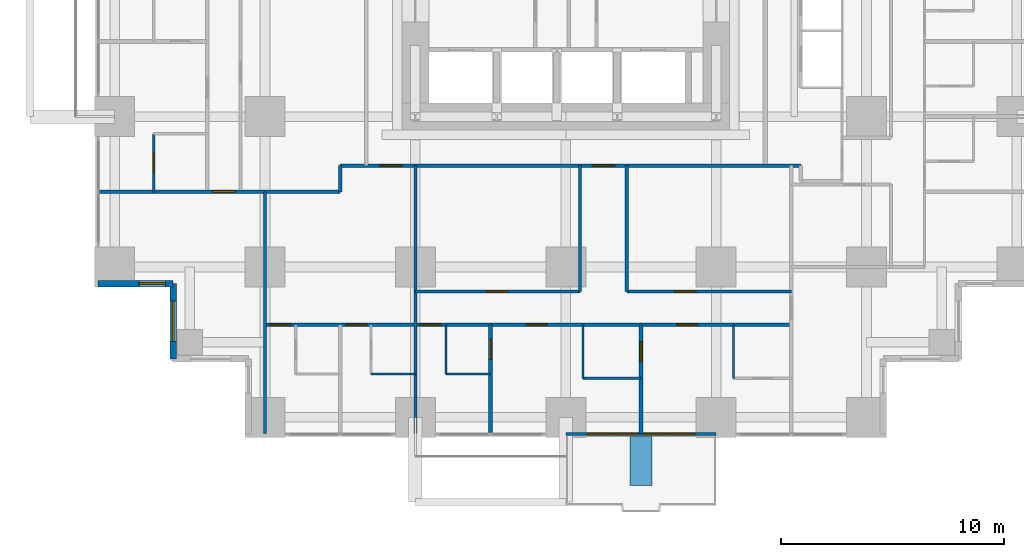
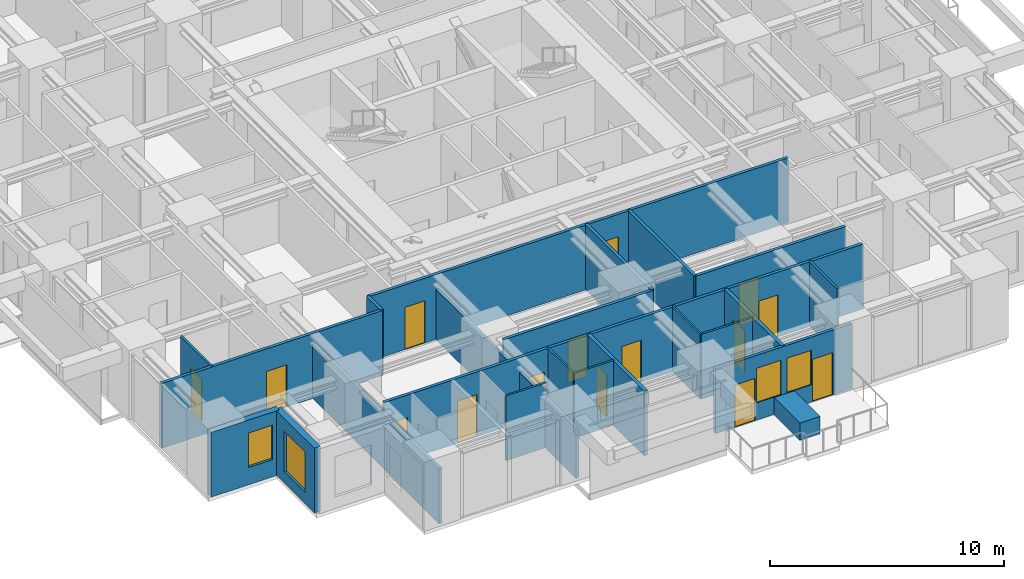
# One storey, part 8 of 14: 23 walls, 15 doors, 4 windows, 19 openings.
"""IFC4 building model written with IfcOpenShell, lengths in metres."""

from ifc_helpers import new_model, si_unit, direction, frame, frame_2d, origin, place, context, subcontext, project, spatial, rectangle, extrude, material, layer, layer_set, type_object, element, fill, save


model = new_model("IFC4")

# Units and contexts
model_context = context("Model", 3, precision=1e-05, world=origin(), true_north=direction((0.0, 1.0)))
body_context = subcontext(model_context, "Body", "Model", "MODEL_VIEW")
ifc_project = project(units=[si_unit("LENGTHUNIT", "METRE"), si_unit("AREAUNIT", "SQUARE_METRE"), si_unit("VOLUMEUNIT", "CUBIC_METRE"), si_unit("PLANEANGLEUNIT", "RADIAN"), si_unit("MASSUNIT", "GRAM", prefix="KILO")], contexts=[model_context])

# Site, building, storey
site_placement = place(None, origin())
site = spatial("IfcSite", under=ifc_project, at=site_placement, CompositionType="ELEMENT")
building_placement = place(site_placement, origin())
building = spatial("IfcBuilding", under=site, at=building_placement, Name="Nyansa Garden Tower", CompositionType="ELEMENT")
storey_placement = place(building_placement, frame((0.0, 0.0, 50.39990234375)))
storey = spatial("IfcBuildingStorey", under=building, at=storey_placement, Name="L13", CompositionType="ELEMENT", Elevation=50.39990234375)

# Wall, opening, door
ifc_material_1 = material(Name="Dense blockwork, plastered both sides, 55 dB", Category="masonry")
ifc_layer_1 = layer(ifc_material_1, 0.175048828125)
ifc_layer_set_1 = layer_set([ifc_layer_1], Name="Acoustic party wall PW175")
wall_type_1 = type_object("IfcWallType", Name="Acoustic party wall PW175", PredefinedType="PARTITIONING", material=ifc_layer_set_1)
wall_1_placement = place(storey_placement, frame((16.875, -0.73388671875, 0.0), z_axis=(0.0, 0.0, 1.0), x_axis=(0.0, 1.0, 0.0)))
wall_1 = element("IfcWall", 1, at=wall_1_placement, inside=storey, type_object=wall_type_1, Name="Party wall", PredefinedType="PARTITIONING", context=body_context, shape_type="SweptSolid", body=[
    extrude(rectangle(XDim=4.8837890625, YDim=0.175048828125, at=frame_2d((2.44189453125, 0.0))), origin(), (0.0, 0.0, 1.0), 3.375),
])
opening_1_placement = place(wall_1_placement, frame((3.333984375, 0.0, 0.0)))
opening_1 = element("IfcOpeningElement", 2, at=opening_1_placement, cuts=wall_1, Name="Opening D02", PredefinedType="OPENING", context=body_context, shape_type="SweptSolid", body=[
    extrude(rectangle(XDim=0.89990234375, YDim=2.199951171875, at=frame_2d((0.449951171875, 1.10009765625))), frame((0.0, 0.097412109375, 0.0), z_axis=(0.0, -1.0, 0.0), x_axis=(1.0, 0.0, 0.0)), (0.0, 0.0, 1.0), 0.195068359375),
])
ifc_material_2 = material(Name="Timber flush door", Category="wood")
door_type_1 = type_object("IfcDoorType", Name="En-suite door D02 900x2200", OperationType="SINGLE_SWING_RIGHT", PredefinedType="DOOR", material=ifc_material_2)
door_1_placement = place(opening_1_placement, origin())
door_1 = element("IfcDoor", 3, at=door_1_placement, inside=storey, type_object=door_type_1, Name="Door L13-029", OperationType="SINGLE_SWING_RIGHT", OverallHeight=2.199951171875, OverallWidth=0.89990234375, PredefinedType="DOOR", context=body_context, shape_type="SweptSolid", body=[
    extrude(rectangle(XDim=0.89990234375, YDim=2.199951171875, at=frame_2d((0.449951171875, 1.10009765625))), frame((0.0, 0.02490234375, 0.0), z_axis=(0.0, -1.0, 0.0), x_axis=(1.0, 0.0, 0.0)), (0.0, 0.0, 1.0), 0.050048828125),
])
fill(opening_1, door_1)

wall_2_placement = place(storey_placement, frame((23.625, -0.73388671875, 0.0), z_axis=(0.0, 0.0, 1.0), x_axis=(0.0, 1.0, 0.0)))
wall_2 = element("IfcWall", 4, at=wall_2_placement, inside=storey, type_object=wall_type_1, Name="Party wall", PredefinedType="PARTITIONING", context=body_context, shape_type="SweptSolid", body=[
    extrude(rectangle(XDim=4.8837890625, YDim=0.175048828125, at=frame_2d((2.44189453125, 0.0))), origin(), (0.0, 0.0, 1.0), 3.375),
])
opening_2_placement = place(wall_2_placement, frame((3.23388671875, 0.0, 0.0)))
opening_2 = element("IfcOpeningElement", 5, at=opening_2_placement, cuts=wall_2, Name="Opening D02", PredefinedType="OPENING", context=body_context, shape_type="SweptSolid", body=[
    extrude(rectangle(XDim=0.89990234375, YDim=2.199951171875, at=frame_2d((0.449951171875, 1.10009765625))), frame((0.0, 0.097412109375, 0.0), z_axis=(0.0, -1.0, 0.0), x_axis=(1.0, 0.0, 0.0)), (0.0, 0.0, 1.0), 0.195068359375),
])
door_2_placement = place(opening_2_placement, origin())
door_2 = element("IfcDoor", 6, at=door_2_placement, inside=storey, type_object=door_type_1, Name="Door L13-027", OperationType="SINGLE_SWING_RIGHT", OverallHeight=2.199951171875, OverallWidth=0.89990234375, PredefinedType="DOOR", context=body_context, shape_type="SweptSolid", body=[
    extrude(rectangle(XDim=0.89990234375, YDim=2.199951171875, at=frame_2d((0.449951171875, 1.10009765625))), frame((0.0, 0.02490234375, 0.0), z_axis=(0.0, -1.0, 0.0), x_axis=(1.0, 0.0, 0.0)), (0.0, 0.0, 1.0), 0.050048828125),
])
fill(opening_2, door_2)

# Wall, openings, doors, windows
ifc_material_3 = material(Name="Black aluminium framed glazed screen", Category="aluminium")
ifc_layer_2 = layer(ifc_material_3, 0.14990234375)
ifc_layer_set_2 = layer_set([ifc_layer_2], Name="Balcony screen wall BW150")
wall_type_2 = type_object("IfcWallType", Name="Balcony screen wall BW150", PredefinedType="SOLIDWALL", material=ifc_layer_set_2)
wall_3_placement = place(storey_placement, frame((27.0, -0.75, 0.0), z_axis=(0.0, 0.0, 1.0), x_axis=(-1.0, 0.0, 0.0)))
wall_3 = element("IfcWall", 7, at=wall_3_placement, inside=storey, type_object=wall_type_2, Name="Glazed screen wall L13 S", PredefinedType="SOLIDWALL", context=body_context, shape_type="SweptSolid", body=[
    extrude(rectangle(XDim=6.75, YDim=0.14990234375, at=frame_2d((3.375, 0.0))), origin(), (0.0, 0.0, 1.0), 3.375),
])
opening_3_placement = place(wall_3_placement, frame((0.96240234375, 0.0, 0.0)))
opening_3 = element("IfcOpeningElement", 8, at=opening_3_placement, cuts=wall_3, Name="Opening D20", PredefinedType="OPENING", context=body_context, shape_type="SweptSolid", body=[
    extrude(rectangle(XDim=1.0, YDim=2.199951171875, at=frame_2d((0.5, 1.10009765625))), frame((0.0, 0.0849609375, 0.0), z_axis=(0.0, -1.0, 0.0), x_axis=(1.0, 0.0, 0.0)), (0.0, 0.0, 1.0), 0.169921875),
])
opening_4_placement = place(wall_3_placement, frame((2.02490234375, 0.0, 0.89990234375)))
opening_4 = element("IfcOpeningElement", 9, at=opening_4_placement, cuts=wall_3, Name="Opening W6", PredefinedType="OPENING", context=body_context, shape_type="SweptSolid", body=[
    extrude(rectangle(XDim=1.199951171875, YDim=1.800048828125, at=frame_2d((0.60009765625, 0.89990234375))), frame((0.0, 0.0849609375, 0.0), z_axis=(0.0, -1.0, 0.0), x_axis=(1.0, 0.0, 0.0)), (0.0, 0.0, 1.0), 0.169921875),
])
opening_5_placement = place(wall_3_placement, frame((4.78759765625, 0.0, 0.0)))
opening_5 = element("IfcOpeningElement", 10, at=opening_5_placement, cuts=wall_3, Name="Opening D20", PredefinedType="OPENING", context=body_context, shape_type="SweptSolid", body=[
    extrude(rectangle(XDim=1.0, YDim=2.199951171875, at=frame_2d((0.5, 1.10009765625))), frame((0.0, 0.0849609375, 0.0), z_axis=(0.0, -1.0, 0.0), x_axis=(1.0, 0.0, 0.0)), (0.0, 0.0, 1.0), 0.169921875),
])
opening_6_placement = place(wall_3_placement, frame((3.52490234375, 0.0, 0.89990234375)))
opening_6 = element("IfcOpeningElement", 11, at=opening_6_placement, cuts=wall_3, Name="Opening W6", PredefinedType="OPENING", context=body_context, shape_type="SweptSolid", body=[
    extrude(rectangle(XDim=1.199951171875, YDim=1.800048828125, at=frame_2d((0.60009765625, 0.89990234375))), frame((0.0, 0.0849609375, 0.0), z_axis=(0.0, -1.0, 0.0), x_axis=(1.0, 0.0, 0.0)), (0.0, 0.0, 1.0), 0.169921875),
])
ifc_material_4 = material(Name="Black aluminium framed glazed door", Category="aluminium")
door_type_2 = type_object("IfcDoorType", Name="Balcony door D20 1000x2200", OperationType="NOTDEFINED", PredefinedType="DOOR", material=ifc_material_4)
door_3_placement = place(opening_3_placement, origin())
door_3 = element("IfcDoor", 12, at=door_3_placement, inside=storey, type_object=door_type_2, Name="Balcony door L13", OperationType="SINGLE_SWING_LEFT", OverallHeight=2.199951171875, OverallWidth=1.0, PredefinedType="DOOR", context=body_context, shape_type="SweptSolid", body=[
    extrude(rectangle(XDim=1.0, YDim=2.199951171875, at=frame_2d((0.5, 1.10009765625))), frame((0.0, 0.02490234375, 0.0), z_axis=(0.0, -1.0, 0.0), x_axis=(1.0, 0.0, 0.0)), (0.0, 0.0, 1.0), 0.050048828125),
])
fill(opening_3, door_3)
door_4_placement = place(opening_5_placement, origin())
door_4 = element("IfcDoor", 13, at=door_4_placement, inside=storey, type_object=door_type_2, Name="Balcony door L13", OperationType="SINGLE_SWING_RIGHT", OverallHeight=2.199951171875, OverallWidth=1.0, PredefinedType="DOOR", context=body_context, shape_type="SweptSolid", body=[
    extrude(rectangle(XDim=1.0, YDim=2.199951171875, at=frame_2d((0.5, 1.10009765625))), frame((0.0, 0.02490234375, 0.0), z_axis=(0.0, -1.0, 0.0), x_axis=(1.0, 0.0, 0.0)), (0.0, 0.0, 1.0), 0.050048828125),
])
fill(opening_5, door_4)
ifc_material_5 = material(Name="Black aluminium frame, dark tinted double glazing", Category="aluminium")
window_type_1 = type_object("IfcWindowType", Name="Balcony window W6 1200x1800", PartitioningType="SINGLE_PANEL", PredefinedType="WINDOW", material=ifc_material_5)
window_1_placement = place(opening_4_placement, origin())
window_1 = element("IfcWindow", 14, at=window_1_placement, inside=storey, type_object=window_type_1, Name="Window L13", OverallHeight=1.800048828125, OverallWidth=1.199951171875, PartitioningType="SINGLE_PANEL", PredefinedType="WINDOW", context=body_context, shape_type="SweptSolid", body=[
    extrude(rectangle(XDim=1.199951171875, YDim=1.800048828125, at=frame_2d((0.60009765625, 0.89990234375))), frame((0.0, 0.030029296875, 0.0), z_axis=(0.0, -1.0, 0.0), x_axis=(1.0, 0.0, 0.0)), (0.0, 0.0, 1.0), 0.06005859375),
])
fill(opening_4, window_1)
window_2_placement = place(opening_6_placement, origin())
window_2 = element("IfcWindow", 15, at=window_2_placement, inside=storey, type_object=window_type_1, Name="Window L13", OverallHeight=1.800048828125, OverallWidth=1.199951171875, PartitioningType="SINGLE_PANEL", PredefinedType="WINDOW", context=body_context, shape_type="SweptSolid", body=[
    extrude(rectangle(XDim=1.199951171875, YDim=1.800048828125, at=frame_2d((0.60009765625, 0.89990234375))), frame((0.0, 0.030029296875, 0.0), z_axis=(0.0, -1.0, 0.0), x_axis=(1.0, 0.0, 0.0)), (0.0, 0.0, 1.0), 0.06005859375),
])
fill(opening_6, window_2)

# Wall, opening, door
ifc_material_6 = material(Name="Blockwork, plastered both sides", Category="masonry")
ifc_layer_3 = layer(ifc_material_6, 0.14990234375)
ifc_layer_set_3 = layer_set([ifc_layer_3], Name="Partition PW150")
wall_type_3 = type_object("IfcWallType", Name="Partition PW150", PredefinedType="PARTITIONING", material=ifc_layer_set_3)
wall_4_placement = place(storey_placement, frame((-0.73388671875, 10.125, 0.0), z_axis=(0.0, 0.0, 1.0), x_axis=(1.0, 0.0, 0.0)))
wall_4 = element("IfcWall", 16, at=wall_4_placement, inside=storey, type_object=wall_type_3, Name="Partition", PredefinedType="PARTITIONING", context=body_context, shape_type="SweptSolid", body=[
    extrude(rectangle(XDim=10.85888671875, YDim=0.14990234375, at=frame_2d((5.429443359375, 0.0))), origin(), (0.0, 0.0, 1.0), 3.375),
])
opening_7_placement = place(wall_4_placement, frame((5.134033203125, 0.0, 0.0)))
opening_7 = element("IfcOpeningElement", 17, at=opening_7_placement, cuts=wall_4, Name="Opening D03", PredefinedType="OPENING", context=body_context, shape_type="SweptSolid", body=[
    extrude(rectangle(XDim=1.0, YDim=2.199951171875, at=frame_2d((0.5, 1.10009765625))), frame((0.0, 0.0849609375, 0.0), z_axis=(0.0, -1.0, 0.0), x_axis=(1.0, 0.0, 0.0)), (0.0, 0.0, 1.0), 0.169921875),
])
ifc_material_7 = material(Name="Timber flush door, 60 minute fire resisting", Category="wood")
door_type_3 = type_object("IfcDoorType", Name="Cluster entrance door D03 1000x2200", OperationType="SINGLE_SWING_LEFT", PredefinedType="DOOR", material=ifc_material_7)
door_5_placement = place(opening_7_placement, origin())
door_5 = element("IfcDoor", 18, at=door_5_placement, inside=storey, type_object=door_type_3, Name="Door L13-018", OperationType="SINGLE_SWING_LEFT", OverallHeight=2.199951171875, OverallWidth=1.0, PredefinedType="DOOR", context=body_context, shape_type="SweptSolid", body=[
    extrude(rectangle(XDim=1.0, YDim=2.199951171875, at=frame_2d((0.5, 1.10009765625))), frame((0.0, 0.02490234375, 0.0), z_axis=(0.0, -1.0, 0.0), x_axis=(1.0, 0.0, 0.0)), (0.0, 0.0, 1.0), 0.050048828125),
])
fill(opening_7, door_5)

# Wall
wall_5_placement = place(storey_placement, frame((6.75, -0.73388671875, 0.0), z_axis=(0.0, 0.0, 1.0), x_axis=(0.0, 1.0, 0.0)))
element("IfcWall", 19, at=wall_5_placement, inside=storey, type_object=wall_type_3, Name="Partition", PredefinedType="PARTITIONING", context=body_context, shape_type="SweptSolid", body=[
    extrude(rectangle(XDim=10.85888671875, YDim=0.14990234375, at=frame_2d((5.429443359375, 0.0))), origin(), (0.0, 0.0, 1.0), 2.877197265625),
])

# Wall, openings, doors
wall_6_placement = place(storey_placement, frame((6.75, 4.14990234375, 0.0), z_axis=(0.0, 0.0, 1.0), x_axis=(1.0, 0.0, 0.0)))
wall_6 = element("IfcWall", 20, at=wall_6_placement, inside=storey, type_object=wall_type_3, Name="Partition", PredefinedType="PARTITIONING", context=body_context, shape_type="SweptSolid", body=[
    extrude(rectangle(XDim=23.625, YDim=0.14990234375, at=frame_2d((11.8125, 0.0))), origin(), (0.0, 0.0, 1.0), 3.375),
])
opening_8_placement = place(wall_6_placement, frame((0.199951171875, 0.0, 0.0)))
opening_8 = element("IfcOpeningElement", 21, at=opening_8_placement, cuts=wall_6, Name="Opening D01", PredefinedType="OPENING", context=body_context, shape_type="SweptSolid", body=[
    extrude(rectangle(XDim=0.949951171875, YDim=2.199951171875, at=frame_2d((0.47509765625, 1.10009765625))), frame((0.0, 0.0849609375, 0.0), z_axis=(0.0, -1.0, 0.0), x_axis=(1.0, 0.0, 0.0)), (0.0, 0.0, 1.0), 0.169921875),
])
opening_9_placement = place(wall_6_placement, frame((3.625, 0.0, 0.0)))
opening_9 = element("IfcOpeningElement", 22, at=opening_9_placement, cuts=wall_6, Name="Opening D01", PredefinedType="OPENING", context=body_context, shape_type="SweptSolid", body=[
    extrude(rectangle(XDim=0.949951171875, YDim=2.199951171875, at=frame_2d((0.47509765625, 1.10009765625))), frame((0.0, 0.0849609375, 0.0), z_axis=(0.0, -1.0, 0.0), x_axis=(1.0, 0.0, 0.0)), (0.0, 0.0, 1.0), 0.169921875),
])
opening_10_placement = place(wall_6_placement, frame((18.47509765625, 0.0, 0.0)))
opening_10 = element("IfcOpeningElement", 23, at=opening_10_placement, cuts=wall_6, Name="Opening D14", PredefinedType="OPENING", context=body_context, shape_type="SweptSolid", body=[
    extrude(rectangle(XDim=0.949951171875, YDim=2.199951171875, at=frame_2d((0.47509765625, 1.10009765625))), frame((0.0, 0.0849609375, 0.0), z_axis=(0.0, -1.0, 0.0), x_axis=(1.0, 0.0, 0.0)), (0.0, 0.0, 1.0), 0.169921875),
])
opening_11_placement = place(wall_6_placement, frame((11.72509765625, 0.0, 0.0)))
opening_11 = element("IfcOpeningElement", 24, at=opening_11_placement, cuts=wall_6, Name="Opening D14", PredefinedType="OPENING", context=body_context, shape_type="SweptSolid", body=[
    extrude(rectangle(XDim=0.949951171875, YDim=2.199951171875, at=frame_2d((0.47509765625, 1.10009765625))), frame((0.0, 0.0849609375, 0.0), z_axis=(0.0, -1.0, 0.0), x_axis=(1.0, 0.0, 0.0)), (0.0, 0.0, 1.0), 0.169921875),
])
opening_12_placement = place(wall_6_placement, frame((6.949951171875, 0.0, 0.0)))
opening_12 = element("IfcOpeningElement", 25, at=opening_12_placement, cuts=wall_6, Name="Opening D14", PredefinedType="OPENING", context=body_context, shape_type="SweptSolid", body=[
    extrude(rectangle(XDim=0.949951171875, YDim=2.199951171875, at=frame_2d((0.47509765625, 1.10009765625))), frame((0.0, 0.0849609375, 0.0), z_axis=(0.0, -1.0, 0.0), x_axis=(1.0, 0.0, 0.0)), (0.0, 0.0, 1.0), 0.169921875),
])
ifc_material_8 = material(Name="Timber flush door, 30 minute fire resisting", Category="wood")
door_type_4 = type_object("IfcDoorType", Name="Bedroom door D01 950x2200", OperationType="SINGLE_SWING_LEFT", PredefinedType="DOOR", material=ifc_material_8)
door_6_placement = place(opening_8_placement, origin())
door_6 = element("IfcDoor", 26, at=door_6_placement, inside=storey, type_object=door_type_4, Name="Door L13-019", OperationType="SINGLE_SWING_LEFT", OverallHeight=2.199951171875, OverallWidth=0.949951171875, PredefinedType="DOOR", context=body_context, shape_type="SweptSolid", body=[
    extrude(rectangle(XDim=0.949951171875, YDim=2.199951171875, at=frame_2d((0.47509765625, 1.10009765625))), frame((0.0, 0.02490234375, 0.0), z_axis=(0.0, -1.0, 0.0), x_axis=(1.0, 0.0, 0.0)), (0.0, 0.0, 1.0), 0.050048828125),
])
fill(opening_8, door_6)
door_7_placement = place(opening_9_placement, origin())
door_7 = element("IfcDoor", 27, at=door_7_placement, inside=storey, type_object=door_type_4, Name="Door L13-021", OperationType="SINGLE_SWING_LEFT", OverallHeight=2.199951171875, OverallWidth=0.949951171875, PredefinedType="DOOR", context=body_context, shape_type="SweptSolid", body=[
    extrude(rectangle(XDim=0.949951171875, YDim=2.199951171875, at=frame_2d((0.47509765625, 1.10009765625))), frame((0.0, 0.02490234375, 0.0), z_axis=(0.0, -1.0, 0.0), x_axis=(1.0, 0.0, 0.0)), (0.0, 0.0, 1.0), 0.050048828125),
])
fill(opening_9, door_7)
ifc_material_9 = material(Name="Timber flush door, 60 minute fire resisting, self-closing", Category="wood")
door_type_5 = type_object("IfcDoorType", Name="Studio entrance door D14 950x2200", OperationType="SINGLE_SWING_LEFT", PredefinedType="DOOR", material=ifc_material_9)
door_8_placement = place(opening_10_placement, origin())
door_8 = element("IfcDoor", 28, at=door_8_placement, inside=storey, type_object=door_type_5, Name="Door L13-024", OperationType="SINGLE_SWING_LEFT", OverallHeight=2.199951171875, OverallWidth=0.949951171875, PredefinedType="DOOR", context=body_context, shape_type="SweptSolid", body=[
    extrude(rectangle(XDim=0.949951171875, YDim=2.199951171875, at=frame_2d((0.47509765625, 1.10009765625))), frame((0.0, 0.02490234375, 0.0), z_axis=(0.0, -1.0, 0.0), x_axis=(1.0, 0.0, 0.0)), (0.0, 0.0, 1.0), 0.050048828125),
])
fill(opening_10, door_8)
door_9_placement = place(opening_11_placement, origin())
door_9 = element("IfcDoor", 29, at=door_9_placement, inside=storey, type_object=door_type_5, Name="Door L13-026", OperationType="SINGLE_SWING_LEFT", OverallHeight=2.199951171875, OverallWidth=0.949951171875, PredefinedType="DOOR", context=body_context, shape_type="SweptSolid", body=[
    extrude(rectangle(XDim=0.949951171875, YDim=2.199951171875, at=frame_2d((0.47509765625, 1.10009765625))), frame((0.0, 0.02490234375, 0.0), z_axis=(0.0, -1.0, 0.0), x_axis=(1.0, 0.0, 0.0)), (0.0, 0.0, 1.0), 0.050048828125),
])
fill(opening_11, door_9)
door_10_placement = place(opening_12_placement, origin())
door_10 = element("IfcDoor", 30, at=door_10_placement, inside=storey, type_object=door_type_5, Name="Door L13-028", OperationType="SINGLE_SWING_LEFT", OverallHeight=2.199951171875, OverallWidth=0.949951171875, PredefinedType="DOOR", context=body_context, shape_type="SweptSolid", body=[
    extrude(rectangle(XDim=0.949951171875, YDim=2.199951171875, at=frame_2d((0.47509765625, 1.10009765625))), frame((0.0, 0.02490234375, 0.0), z_axis=(0.0, -1.0, 0.0), x_axis=(1.0, 0.0, 0.0)), (0.0, 0.0, 1.0), 0.050048828125),
])
fill(opening_12, door_10)

# Wall
wall_7_placement = place(storey_placement, frame((10.125, 10.125, 0.0), z_axis=(0.0, 0.0, 1.0), x_axis=(0.0, 1.0, 0.0)))
element("IfcWall", 31, at=wall_7_placement, inside=storey, type_object=wall_type_3, Name="Partition", PredefinedType="PARTITIONING", context=body_context, shape_type="SweptSolid", body=[
    extrude(rectangle(XDim=1.175048828125, YDim=0.14990234375, at=frame_2d((0.58740234375, 0.0))), origin(), (0.0, 0.0, 1.0), 3.375),
])

# Wall, openings, doors
wall_8_placement = place(storey_placement, frame((10.125, 11.300048828125, 0.0), z_axis=(0.0, 0.0, 1.0), x_axis=(1.0, 0.0, 0.0)))
wall_8 = element("IfcWall", 32, at=wall_8_placement, inside=storey, type_object=wall_type_3, Name="Partition", PredefinedType="PARTITIONING", context=body_context, shape_type="SweptSolid", body=[
    extrude(rectangle(XDim=20.675048828125, YDim=0.14990234375, at=frame_2d((10.33740234375, 0.0))), origin(), (0.0, 0.0, 1.0), 3.375),
])
opening_13_placement = place(wall_8_placement, frame((1.77490234375, 0.0, 0.0)))
opening_13 = element("IfcOpeningElement", 33, at=opening_13_placement, cuts=wall_8, Name="Opening D03", PredefinedType="OPENING", context=body_context, shape_type="SweptSolid", body=[
    extrude(rectangle(XDim=1.0, YDim=2.199951171875, at=frame_2d((0.5, 1.10009765625))), frame((0.0, 0.0849609375, 0.0), z_axis=(0.0, -1.0, 0.0), x_axis=(1.0, 0.0, 0.0)), (0.0, 0.0, 1.0), 0.169921875),
])
opening_14_placement = place(wall_8_placement, frame((11.3125, 0.0, 0.0)))
opening_14 = element("IfcOpeningElement", 34, at=opening_14_placement, cuts=wall_8, Name="Opening D03", PredefinedType="OPENING", context=body_context, shape_type="SweptSolid", body=[
    extrude(rectangle(XDim=1.0, YDim=2.199951171875, at=frame_2d((0.5, 1.10009765625))), frame((0.0, 0.0849609375, 0.0), z_axis=(0.0, -1.0, 0.0), x_axis=(1.0, 0.0, 0.0)), (0.0, 0.0, 1.0), 0.169921875),
])
door_11_placement = place(opening_13_placement, origin())
door_11 = element("IfcDoor", 35, at=door_11_placement, inside=storey, type_object=door_type_3, Name="Door L13-023", OperationType="SINGLE_SWING_LEFT", OverallHeight=2.199951171875, OverallWidth=1.0, PredefinedType="DOOR", context=body_context, shape_type="SweptSolid", body=[
    extrude(rectangle(XDim=1.0, YDim=2.199951171875, at=frame_2d((0.5, 1.10009765625))), frame((0.0, 0.02490234375, 0.0), z_axis=(0.0, -1.0, 0.0), x_axis=(1.0, 0.0, 0.0)), (0.0, 0.0, 1.0), 0.050048828125),
])
fill(opening_13, door_11)
door_12_placement = place(opening_14_placement, origin())
door_12 = element("IfcDoor", 36, at=door_12_placement, inside=storey, type_object=door_type_3, Name="Door L13-030", OperationType="SINGLE_SWING_LEFT", OverallHeight=2.199951171875, OverallWidth=1.0, PredefinedType="DOOR", context=body_context, shape_type="SweptSolid", body=[
    extrude(rectangle(XDim=1.0, YDim=2.199951171875, at=frame_2d((0.5, 1.10009765625))), frame((0.0, 0.02490234375, 0.0), z_axis=(0.0, -1.0, 0.0), x_axis=(1.0, 0.0, 0.0)), (0.0, 0.0, 1.0), 0.050048828125),
])
fill(opening_14, door_12)

# Wall
wall_9_placement = place(storey_placement, frame((13.5, -0.73388671875, 0.0), z_axis=(0.0, 0.0, 1.0), x_axis=(0.0, 1.0, 0.0)))
element("IfcWall", 37, at=wall_9_placement, inside=storey, type_object=wall_type_3, Name="Partition", PredefinedType="PARTITIONING", context=body_context, shape_type="SweptSolid", body=[
    extrude(rectangle(XDim=12.033935546875, YDim=0.14990234375, at=frame_2d((6.01708984375, 0.0))), origin(), (0.0, 0.0, 1.0), 2.610107421875),
])

# Wall, opening, door
wall_10_placement = place(storey_placement, frame((13.5, 5.64990234375, 0.0), z_axis=(0.0, 0.0, 1.0), x_axis=(1.0, 0.0, 0.0)))
wall_10 = element("IfcWall", 38, at=wall_10_placement, inside=storey, type_object=wall_type_3, Name="Partition", PredefinedType="PARTITIONING", context=body_context, shape_type="SweptSolid", body=[
    extrude(rectangle(XDim=7.387451171875, YDim=0.14990234375, at=frame_2d((3.69384765625, 0.0))), origin(), (0.0, 0.0, 1.0), 3.375),
])
opening_15_placement = place(wall_10_placement, frame((3.199951171875, 0.0, 0.0)))
opening_15 = element("IfcOpeningElement", 39, at=opening_15_placement, cuts=wall_10, Name="Opening D01", PredefinedType="OPENING", context=body_context, shape_type="SweptSolid", body=[
    extrude(rectangle(XDim=0.949951171875, YDim=2.199951171875, at=frame_2d((0.47509765625, 1.10009765625))), frame((0.0, 0.0849609375, 0.0), z_axis=(0.0, -1.0, 0.0), x_axis=(1.0, 0.0, 0.0)), (0.0, 0.0, 1.0), 0.169921875),
])
door_13_placement = place(opening_15_placement, origin())
door_13 = element("IfcDoor", 40, at=door_13_placement, inside=storey, type_object=door_type_4, Name="Door L13-032", OperationType="SINGLE_SWING_LEFT", OverallHeight=2.199951171875, OverallWidth=0.949951171875, PredefinedType="DOOR", context=body_context, shape_type="SweptSolid", body=[
    extrude(rectangle(XDim=0.949951171875, YDim=2.199951171875, at=frame_2d((0.47509765625, 1.10009765625))), frame((0.0, 0.02490234375, 0.0), z_axis=(0.0, -1.0, 0.0), x_axis=(1.0, 0.0, 0.0)), (0.0, 0.0, 1.0), 0.050048828125),
])
fill(opening_15, door_13)

# Wall
wall_11_placement = place(storey_placement, frame((20.886962890625, 5.64990234375, 0.0), z_axis=(0.0, 0.0, 1.0), x_axis=(0.0, 1.0, 0.0)))
element("IfcWall", 41, at=wall_11_placement, inside=storey, type_object=wall_type_3, Name="Partition", PredefinedType="PARTITIONING", context=body_context, shape_type="SweptSolid", body=[
    extrude(rectangle(XDim=5.650146484375, YDim=0.14990234375, at=frame_2d((2.8251953125, 0.0))), origin(), (0.0, 0.0, 1.0), 3.375),
])

# Wall, opening, door
wall_12_placement = place(storey_placement, frame((22.987548828125, 5.64990234375, 0.0), z_axis=(0.0, 0.0, 1.0), x_axis=(1.0, 0.0, 0.0)))
wall_12 = element("IfcWall", 42, at=wall_12_placement, inside=storey, type_object=wall_type_3, Name="Partition", PredefinedType="PARTITIONING", context=body_context, shape_type="SweptSolid", body=[
    extrude(rectangle(XDim=7.387451171875, YDim=0.14990234375, at=frame_2d((3.69384765625, 0.0))), origin(), (0.0, 0.0, 1.0), 3.375),
])
opening_16_placement = place(wall_12_placement, frame((2.14990234375, 0.0, 0.0)))
opening_16 = element("IfcOpeningElement", 43, at=opening_16_placement, cuts=wall_12, Name="Opening D01", PredefinedType="OPENING", context=body_context, shape_type="SweptSolid", body=[
    extrude(rectangle(XDim=0.949951171875, YDim=2.199951171875, at=frame_2d((0.47509765625, 1.10009765625))), frame((0.0, 0.0849609375, 0.0), z_axis=(0.0, -1.0, 0.0), x_axis=(1.0, 0.0, 0.0)), (0.0, 0.0, 1.0), 0.169921875),
])
door_14_placement = place(opening_16_placement, origin())
door_14 = element("IfcDoor", 44, at=door_14_placement, inside=storey, type_object=door_type_4, Name="Door L13-031", OperationType="SINGLE_SWING_LEFT", OverallHeight=2.199951171875, OverallWidth=0.949951171875, PredefinedType="DOOR", context=body_context, shape_type="SweptSolid", body=[
    extrude(rectangle(XDim=0.949951171875, YDim=2.199951171875, at=frame_2d((0.47509765625, 1.10009765625))), frame((0.0, 0.02490234375, 0.0), z_axis=(0.0, -1.0, 0.0), x_axis=(1.0, 0.0, 0.0)), (0.0, 0.0, 1.0), 0.050048828125),
])
fill(opening_16, door_14)

# Wall
wall_13_placement = place(storey_placement, frame((22.988037109375, 5.64990234375, 0.0), z_axis=(0.0, 0.0, 1.0), x_axis=(0.0, 1.0, 0.0)))
element("IfcWall", 45, at=wall_13_placement, inside=storey, type_object=wall_type_3, Name="Partition", PredefinedType="PARTITIONING", context=body_context, shape_type="SweptSolid", body=[
    extrude(rectangle(XDim=5.650146484375, YDim=0.14990234375, at=frame_2d((2.8251953125, 0.0))), origin(), (0.0, 0.0, 1.0), 3.375),
])

# Wall, opening, window
ifc_material_10 = material(Name="Turquoise glazed tile on concrete blockwork", Category="masonry")
ifc_layer_4 = layer(ifc_material_10, 0.300048828125)
ifc_layer_set_4 = layer_set([ifc_layer_4], Name="Tiled corner wall TW300")
wall_type_4 = type_object("IfcWallType", Name="Tiled corner wall TW300", PredefinedType="SOLIDWALL", material=ifc_layer_set_4)
wall_14_placement = place(storey_placement, frame((-0.75, 6.0, 0.0), z_axis=(0.0, 0.0, 1.0), x_axis=(1.0, 0.0, 0.0)))
wall_14 = element("IfcWall", 46, at=wall_14_placement, inside=storey, type_object=wall_type_4, Name="Tiled corner wall L13", PredefinedType="SOLIDWALL", context=body_context, shape_type="SweptSolid", body=[
    extrude(rectangle(XDim=3.375, YDim=0.300048828125, at=frame_2d((1.6875, 0.0))), origin(), (0.0, 0.0, 1.0), 3.375),
])
opening_17_placement = place(wall_14_placement, frame((1.83251953125, 0.0, 0.89990234375)))
opening_17 = element("IfcOpeningElement", 47, at=opening_17_placement, cuts=wall_14, Name="Opening W4", PredefinedType="OPENING", context=body_context, shape_type="SweptSolid", body=[
    extrude(rectangle(XDim=1.199951171875, YDim=1.800048828125, at=frame_2d((0.60009765625, 0.89990234375))), frame((0.0, 0.159912109375, 0.0), z_axis=(0.0, -1.0, 0.0), x_axis=(1.0, 0.0, 0.0)), (0.0, 0.0, 1.0), 0.320068359375),
])
ifc_material_11 = material(Name="Black aluminium frame, dark tinted double glazing", Category="aluminium")
window_type_2 = type_object("IfcWindowType", Name="Window W4 1200x1800", PartitioningType="SINGLE_PANEL", PredefinedType="WINDOW", material=ifc_material_11)
window_3_placement = place(opening_17_placement, origin())
window_3 = element("IfcWindow", 48, at=window_3_placement, inside=storey, type_object=window_type_2, Name="Corner window L13", OverallHeight=1.800048828125, OverallWidth=1.199951171875, PartitioningType="SINGLE_PANEL", PredefinedType="WINDOW", context=body_context, shape_type="SweptSolid", body=[
    extrude(rectangle(XDim=1.199951171875, YDim=1.800048828125, at=frame_2d((0.60009765625, 0.89990234375))), frame((0.0, 0.030029296875, 0.0), z_axis=(0.0, -1.0, 0.0), x_axis=(1.0, 0.0, 0.0)), (0.0, 0.0, 1.0), 0.06005859375),
])
fill(opening_17, window_3)

wall_15_placement = place(storey_placement, frame((2.625, 6.0, 0.0), z_axis=(0.0, 0.0, 1.0), x_axis=(0.0, -1.0, 0.0)))
wall_15 = element("IfcWall", 49, at=wall_15_placement, inside=storey, type_object=wall_type_4, Name="Tiled corner wall L13", PredefinedType="SOLIDWALL", context=body_context, shape_type="SweptSolid", body=[
    extrude(rectangle(XDim=3.375, YDim=0.300048828125, at=frame_2d((1.6875, 0.0))), origin(), (0.0, 0.0, 1.0), 3.375),
])
opening_18_placement = place(wall_15_placement, frame((0.78759765625, 0.0, 0.60009765625)))
opening_18 = element("IfcOpeningElement", 50, at=opening_18_placement, cuts=wall_15, Name="Opening W2", PredefinedType="OPENING", context=body_context, shape_type="SweptSolid", body=[
    extrude(rectangle(XDim=1.800048828125, YDim=2.10009765625, at=frame_2d((0.89990234375, 1.050048828125))), frame((0.0, 0.159912109375, 0.0), z_axis=(0.0, -1.0, 0.0), x_axis=(1.0, 0.0, 0.0)), (0.0, 0.0, 1.0), 0.320068359375),
])
ifc_material_12 = material(Name="Black aluminium frame, dark tinted double glazing", Category="aluminium")
window_type_3 = type_object("IfcWindowType", Name="Window W2 1800x2100", PartitioningType="SINGLE_PANEL", PredefinedType="WINDOW", material=ifc_material_12)
window_4_placement = place(opening_18_placement, origin())
window_4 = element("IfcWindow", 51, at=window_4_placement, inside=storey, type_object=window_type_3, Name="Corner window L13", OverallHeight=2.10009765625, OverallWidth=1.800048828125, PartitioningType="SINGLE_PANEL", PredefinedType="WINDOW", context=body_context, shape_type="SweptSolid", body=[
    extrude(rectangle(XDim=1.800048828125, YDim=2.10009765625, at=frame_2d((0.89990234375, 1.050048828125))), frame((0.0, 0.030029296875, 0.0), z_axis=(0.0, -1.0, 0.0), x_axis=(1.0, 0.0, 0.0)), (0.0, 0.0, 1.0), 0.06005859375),
])
fill(opening_18, window_4)

# Wall
ifc_material_13 = material(Name="Concrete C40/50 planter, waterproofed", Category="concrete")
ifc_layer_5 = layer(ifc_material_13, 1.0)
ifc_layer_set_5 = layer_set([ifc_layer_5], Name="Tree planter TP1")
wall_type_5 = type_object("IfcWallType", Name="Tree planter TP1", PredefinedType="USERDEFINED", material=ifc_layer_set_5)
wall_16_placement = place(storey_placement, frame((23.625, -0.85009765625, 0.0), z_axis=(0.0, 0.0, 1.0), x_axis=(0.0, -1.0, 0.0)))
element("IfcWall", 52, at=wall_16_placement, inside=storey, type_object=wall_type_5, Name="Tree planter L13", ObjectType="TREE PLANTER", PredefinedType="USERDEFINED", context=body_context, shape_type="SweptSolid", body=[
    extrude(rectangle(XDim=2.199951171875, YDim=1.0, at=frame_2d((1.10009765625, 0.0))), origin(), (0.0, 0.0, 1.0), 0.900146484375),
])

# Wall, opening, door
ifc_material_14 = material(Name="Moisture resistant board on steel studs, tiled", Category="steel")
ifc_layer_6 = layer(ifc_material_14, 0.10009765625)
ifc_layer_set_6 = layer_set([ifc_layer_6], Name="Wet wall PW100")
wall_type_6 = type_object("IfcWallType", Name="Wet wall PW100", PredefinedType="PARTITIONING", material=ifc_layer_set_6)
wall_17_placement = place(storey_placement, frame((1.75, 10.125, 0.0), z_axis=(0.0, 0.0, 1.0), x_axis=(0.0, 1.0, 0.0)))
wall_17 = element("IfcWall", 53, at=wall_17_placement, inside=storey, type_object=wall_type_6, Name="Wet wall", PredefinedType="PARTITIONING", context=body_context, shape_type="SweptSolid", body=[
    extrude(rectangle(XDim=2.60009765625, YDim=0.10009765625, at=frame_2d((1.300048828125, 0.0))), origin(), (0.0, 0.0, 1.0), 3.375),
])
opening_19_placement = place(wall_17_placement, frame((0.85009765625, 0.0, 0.0)))
opening_19 = element("IfcOpeningElement", 54, at=opening_19_placement, cuts=wall_17, Name="Opening D02", PredefinedType="OPENING", context=body_context, shape_type="SweptSolid", body=[
    extrude(rectangle(XDim=0.89990234375, YDim=2.199951171875, at=frame_2d((0.449951171875, 1.10009765625))), frame((0.0, 0.06005859375, 0.0), z_axis=(0.0, -1.0, 0.0), x_axis=(1.0, 0.0, 0.0)), (0.0, 0.0, 1.0), 0.1201171875),
])
door_15_placement = place(opening_19_placement, origin())
door_15 = element("IfcDoor", 55, at=door_15_placement, inside=storey, type_object=door_type_1, Name="Door L13-068", OperationType="SINGLE_SWING_RIGHT", OverallHeight=2.199951171875, OverallWidth=0.89990234375, PredefinedType="DOOR", context=body_context, shape_type="SweptSolid", body=[
    extrude(rectangle(XDim=0.89990234375, YDim=2.199951171875, at=frame_2d((0.449951171875, 1.10009765625))), frame((0.0, 0.02490234375, 0.0), z_axis=(0.0, -1.0, 0.0), x_axis=(1.0, 0.0, 0.0)), (0.0, 0.0, 1.0), 0.050048828125),
])
fill(opening_19, door_15)

# Walls
wall_18_placement = place(storey_placement, frame((11.5, 1.949951171875, 0.0), z_axis=(0.0, 0.0, 1.0), x_axis=(1.0, 0.0, 0.0)))
element("IfcWall", 56, at=wall_18_placement, inside=storey, type_object=wall_type_6, Name="Wet wall", PredefinedType="PARTITIONING", context=body_context, shape_type="SweptSolid", body=[
    extrude(rectangle(XDim=2.0, YDim=0.10009765625, at=frame_2d((1.0, 0.0))), origin(), (0.0, 0.0, 1.0), 3.375),
])
wall_19_placement = place(storey_placement, frame((14.875, 1.949951171875, 0.0), z_axis=(0.0, 0.0, 1.0), x_axis=(0.0, 1.0, 0.0)))
element("IfcWall", 57, at=wall_19_placement, inside=storey, type_object=wall_type_6, Name="Wet wall", PredefinedType="PARTITIONING", context=body_context, shape_type="SweptSolid", body=[
    extrude(rectangle(XDim=2.199951171875, YDim=0.10009765625, at=frame_2d((1.10009765625, 0.0))), origin(), (0.0, 0.0, 1.0), 3.375),
])
wall_20_placement = place(storey_placement, frame((14.875, 1.949951171875, 0.0), z_axis=(0.0, 0.0, 1.0), x_axis=(1.0, 0.0, 0.0)))
element("IfcWall", 58, at=wall_20_placement, inside=storey, type_object=wall_type_6, Name="Wet wall", PredefinedType="PARTITIONING", context=body_context, shape_type="SweptSolid", body=[
    extrude(rectangle(XDim=2.0, YDim=0.10009765625, at=frame_2d((1.0, 0.0))), origin(), (0.0, 0.0, 1.0), 3.375),
])
wall_21_placement = place(storey_placement, frame((21.02490234375, 1.75, 0.0), z_axis=(0.0, 0.0, 1.0), x_axis=(0.0, 1.0, 0.0)))
element("IfcWall", 59, at=wall_21_placement, inside=storey, type_object=wall_type_6, Name="Wet wall", PredefinedType="PARTITIONING", context=body_context, shape_type="SweptSolid", body=[
    extrude(rectangle(XDim=2.39990234375, YDim=0.10009765625, at=frame_2d((1.199951171875, 0.0))), origin(), (0.0, 0.0, 1.0), 3.375),
])
wall_22_placement = place(storey_placement, frame((21.02490234375, 1.75, 0.0), z_axis=(0.0, 0.0, 1.0), x_axis=(1.0, 0.0, 0.0)))
element("IfcWall", 60, at=wall_22_placement, inside=storey, type_object=wall_type_6, Name="Wet wall", PredefinedType="PARTITIONING", context=body_context, shape_type="SweptSolid", body=[
    extrude(rectangle(XDim=2.60009765625, YDim=0.10009765625, at=frame_2d((1.300048828125, 0.0))), origin(), (0.0, 0.0, 1.0), 3.375),
])
wall_23_placement = place(storey_placement, frame((27.77490234375, 1.75, 0.0), z_axis=(0.0, 0.0, 1.0), x_axis=(0.0, 1.0, 0.0)))
element("IfcWall", 61, at=wall_23_placement, inside=storey, type_object=wall_type_6, Name="Wet wall", PredefinedType="PARTITIONING", context=body_context, shape_type="SweptSolid", body=[
    extrude(rectangle(XDim=2.39990234375, YDim=0.10009765625, at=frame_2d((1.199951171875, 0.0))), origin(), (0.0, 0.0, 1.0), 3.375),
])

save(model, "model.ifc")
